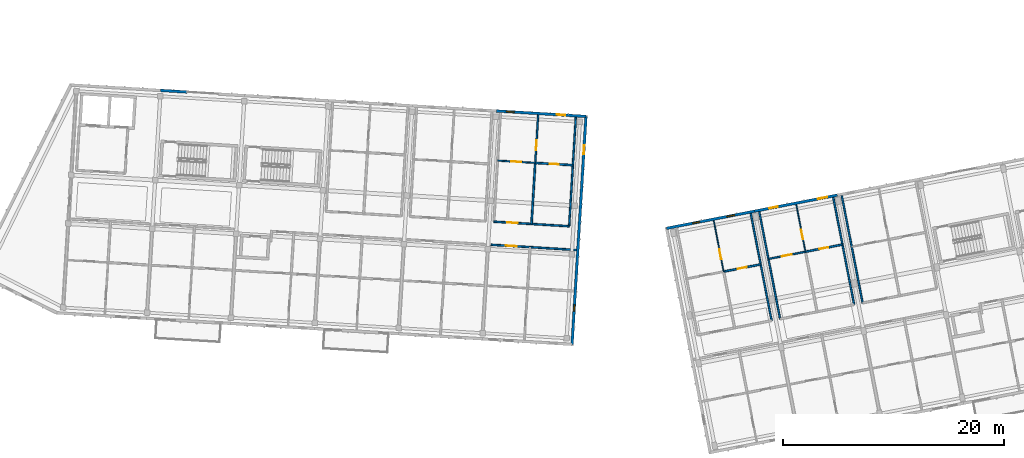
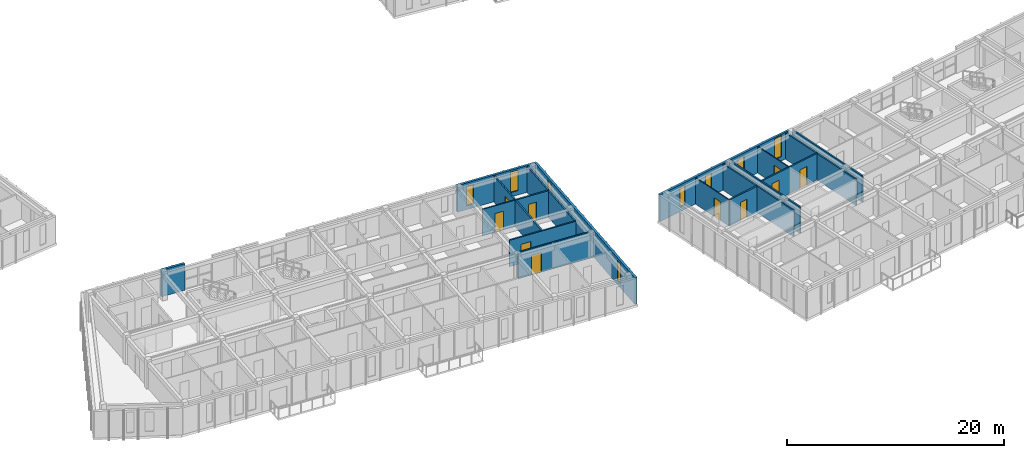
# One storey, part 29 of 68: 21 walls, 10 doors, 8 windows, 18 openings.
"""IFC4 building model written with IfcOpenShell, lengths in metres."""

from ifc_helpers import new_model, si_unit, direction, frame, frame_2d, origin, place, context, subcontext, project, spatial, rectangle, extrude, material, layer, layer_set, type_object, element, fill, save


model = new_model("IFC4")

# Units and contexts
model_context = context("Model", 3, precision=1e-05, world=origin(), true_north=direction((0.0, 1.0)))
body_context = subcontext(model_context, "Body", "Model", "MODEL_VIEW")
ifc_project = project(units=[si_unit("LENGTHUNIT", "METRE"), si_unit("AREAUNIT", "SQUARE_METRE"), si_unit("VOLUMEUNIT", "CUBIC_METRE"), si_unit("PLANEANGLEUNIT", "RADIAN"), si_unit("MASSUNIT", "GRAM", prefix="KILO")], contexts=[model_context])

# Site, building, storey
site_placement = place(None, origin())
site = spatial("IfcSite", under=ifc_project, at=site_placement, CompositionType="ELEMENT")
building_placement = place(site_placement, origin())
building = spatial("IfcBuilding", under=site, at=building_placement, Name="Kestramere Prow Commons", CompositionType="ELEMENT")
storey_placement = place(building_placement, frame((0.0, 0.0, 18.14990234375)))
storey = spatial("IfcBuildingStorey", under=building, at=storey_placement, Name="L05", CompositionType="ELEMENT", Elevation=18.14990234375)

# Wall
ifc_material_1 = material(Name="Fluoropolymer Standing-Seam Zinc-Aluminium Cladding", Category="aluminium")
ifc_layer_1 = layer(ifc_material_1, 0.239990234375)
ifc_layer_set_1 = layer_set([ifc_layer_1], Name="Fluoropolymer Standing-Seam Zinc-Aluminium Cladding")
wall_type_1 = type_object("IfcWallType", Name="EW-SEAM-240", PredefinedType="SOLIDWALL", material=ifc_layer_set_1)
wall_1_placement = place(storey_placement, frame((68.314453125, 66.12353515625, 0.0), z_axis=(0.0, 0.0, 1.0), x_axis=(0.998134103342, -0.061059902923, 0.0)))
element("IfcWall", 1, at=wall_1_placement, inside=storey, type_object=wall_type_1, Name="Block C L05 North Standing-Seam Pier 2L", PredefinedType="SOLIDWALL", context=body_context, shape_type="SweptSolid", body=[
    extrude(rectangle(XDim=2.375, YDim=0.239990234375, at=frame_2d((1.1875, 0.0))), origin(), (0.0, 0.0, 1.0), 3.0),
])

# Wall, openings, windows
wall_2_placement = place(storey_placement, frame((98.65771484375, 64.267578125, 0.0), z_axis=(0.0, 0.0, 1.0), x_axis=(0.998134248939, -0.061057522844, 0.0)))
wall_2 = element("IfcWall", 2, at=wall_2_placement, inside=storey, type_object=wall_type_1, Name="Block C L05 North Standing-Seam Wall 6", PredefinedType="SOLIDWALL", context=body_context, shape_type="SweptSolid", body=[
    extrude(rectangle(XDim=8.125, YDim=0.239990234375, at=frame_2d((4.0625, 0.0))), origin(), (0.0, 0.0, 1.0), 3.0),
])
opening_1_placement = place(wall_2_placement, frame((0.91357421875, 0.0, 0.43994140625)))
opening_1 = element("IfcOpeningElement", 3, at=opening_1_placement, cuts=wall_2, Name="Opening WN-08", PredefinedType="OPENING", context=body_context, shape_type="SweptSolid", body=[
    extrude(rectangle(XDim=0.719970703125, YDim=2.159912109375, at=frame_2d((0.35986328125, 1.080078125))), frame((0.0, 0.135009765625, 0.0), z_axis=(0.0, -1.0, 0.0), x_axis=(1.0, 0.0, 0.0)), (0.0, 0.0, 1.0), 0.27001953125),
])
opening_2_placement = place(wall_2_placement, frame((5.4560546875, 0.0, 0.5)))
opening_2 = element("IfcOpeningElement", 4, at=opening_2_placement, cuts=wall_2, Name="Opening WN-12", PredefinedType="OPENING", context=body_context, shape_type="SweptSolid", body=[
    extrude(rectangle(XDim=0.800048828125, YDim=2.300048828125, at=frame_2d((0.39990234375, 1.14990234375))), frame((0.0, 0.135009765625, 0.0), z_axis=(0.0, -1.0, 0.0), x_axis=(1.0, 0.0, 0.0)), (0.0, 0.0, 1.0), 0.27001953125),
])
ifc_material_2 = material(Name="Low-E Laminated Double Glazing", Category="glass")
window_type_1 = type_object("IfcWindowType", Name="WN-NAR-720A", PartitioningType="SINGLE_PANEL", PredefinedType="WINDOW", material=ifc_material_2)
window_1_placement = place(opening_1_placement, origin())
window_1 = element("IfcWindow", 5, at=window_1_placement, inside=storey, type_object=window_type_1, Name="WN-C-L05-N-5-0", OverallHeight=2.159912109375, OverallWidth=0.719970703125, PartitioningType="SINGLE_PANEL", PredefinedType="WINDOW", context=body_context, shape_type="SweptSolid", body=[
    extrude(rectangle(XDim=0.719970703125, YDim=2.159912109375, at=frame_2d((0.35986328125, 1.080078125))), frame((0.0, 0.030029296875, 0.0), z_axis=(0.0, -1.0, 0.0), x_axis=(1.0, 0.0, 0.0)), (0.0, 0.0, 1.0), 0.06005859375),
])
fill(opening_1, window_1)
window_type_2 = type_object("IfcWindowType", Name="WN-NAR-800A", PartitioningType="SINGLE_PANEL", PredefinedType="WINDOW", material=ifc_material_2)
window_2_placement = place(opening_2_placement, origin())
window_2 = element("IfcWindow", 6, at=window_2_placement, inside=storey, type_object=window_type_2, Name="WN-C-L05-N-5-1", OverallHeight=2.300048828125, OverallWidth=0.800048828125, PartitioningType="SINGLE_PANEL", PredefinedType="WINDOW", context=body_context, shape_type="SweptSolid", body=[
    extrude(rectangle(XDim=0.800048828125, YDim=2.300048828125, at=frame_2d((0.39990234375, 1.14990234375))), frame((0.0, 0.030029296875, 0.0), z_axis=(0.0, -1.0, 0.0), x_axis=(1.0, 0.0, 0.0)), (0.0, 0.0, 1.0), 0.06005859375),
])
fill(opening_2, window_2)

wall_3_placement = place(storey_placement, frame((106.767578125, 63.771484375, 0.0), z_axis=(0.0, 0.0, 1.0), x_axis=(-0.061053332998, -0.99813450523, 0.0)))
wall_3 = element("IfcWall", 7, at=wall_3_placement, inside=storey, type_object=wall_type_1, Name="Block C L05 EAV Facet Wall", PredefinedType="SOLIDWALL", context=body_context, shape_type="SweptSolid", body=[
    extrude(rectangle(XDim=20.64990234375, YDim=0.239990234375, at=frame_2d((10.324951171875, 0.0))), origin(), (0.0, 0.0, 1.0), 3.0),
])
opening_3_placement = place(wall_3_placement, frame((2.6298828125, 0.0, 0.52001953125)))
opening_3 = element("IfcOpeningElement", 8, at=opening_3_placement, cuts=wall_3, Name="Opening WN-11", PredefinedType="OPENING", context=body_context, shape_type="SweptSolid", body=[
    extrude(rectangle(XDim=0.780029296875, YDim=2.199951171875, at=frame_2d((0.39013671875, 1.10009765625))), frame((0.0, 0.135009765625, 0.0), z_axis=(0.0, -1.0, 0.0), x_axis=(1.0, 0.0, 0.0)), (0.0, 0.0, 1.0), 0.27001953125),
])
opening_4_placement = place(wall_3_placement, frame((17.0400390625, 0.0, 0.449951171875)))
opening_4 = element("IfcOpeningElement", 9, at=opening_4_placement, cuts=wall_3, Name="Opening WN-03", PredefinedType="OPENING", context=body_context, shape_type="SweptSolid", body=[
    extrude(rectangle(XDim=0.6201171875, YDim=2.280029296875, at=frame_2d((0.31005859375, 1.14013671875))), frame((0.0, 0.135009765625, 0.0), z_axis=(0.0, -1.0, 0.0), x_axis=(1.0, 0.0, 0.0)), (0.0, 0.0, 1.0), 0.27001953125),
])
window_type_3 = type_object("IfcWindowType", Name="WN-NAR-620A", PartitioningType="SINGLE_PANEL", PredefinedType="WINDOW", material=ifc_material_2)
window_3_placement = place(opening_4_placement, origin())
window_3 = element("IfcWindow", 10, at=window_3_placement, inside=storey, type_object=window_type_3, Name="WN-C-L05-EAV-1", OverallHeight=2.280029296875, OverallWidth=0.6201171875, PartitioningType="SINGLE_PANEL", PredefinedType="WINDOW", context=body_context, shape_type="SweptSolid", body=[
    extrude(rectangle(XDim=0.6201171875, YDim=2.280029296875, at=frame_2d((0.31005859375, 1.14013671875))), frame((0.0, 0.030029296875, 0.0), z_axis=(0.0, -1.0, 0.0), x_axis=(1.0, 0.0, 0.0)), (0.0, 0.0, 1.0), 0.06005859375),
])
fill(opening_4, window_3)
window_type_4 = type_object("IfcWindowType", Name="WN-NAR-780A", PartitioningType="SINGLE_PANEL", PredefinedType="WINDOW", material=ifc_material_2)
window_4_placement = place(opening_3_placement, origin())
window_4 = element("IfcWindow", 11, at=window_4_placement, inside=storey, type_object=window_type_4, Name="WN-C-L05-EAV-0", OverallHeight=2.199951171875, OverallWidth=0.780029296875, PartitioningType="SINGLE_PANEL", PredefinedType="WINDOW", context=body_context, shape_type="SweptSolid", body=[
    extrude(rectangle(XDim=0.780029296875, YDim=2.199951171875, at=frame_2d((0.39013671875, 1.10009765625))), frame((0.0, 0.030029296875, 0.0), z_axis=(0.0, -1.0, 0.0), x_axis=(1.0, 0.0, 0.0)), (0.0, 0.0, 1.0), 0.06005859375),
])
fill(opening_3, window_4)

wall_4_placement = place(storey_placement, frame((114.044677734375, 53.655029296875, 0.0), z_axis=(0.0, 0.0, 1.0), x_axis=(0.981627273155, 0.190808533872, 0.0)))
wall_4 = element("IfcWall", 12, at=wall_4_placement, inside=storey, type_object=wall_type_1, Name="Block D L05 North Standing-Seam Wall 1", PredefinedType="SOLIDWALL", context=body_context, shape_type="SweptSolid", body=[
    extrude(rectangle(XDim=8.124755859375, YDim=0.239990234375, at=frame_2d((4.0625, 0.0))), origin(), (0.0, 0.0, 1.0), 3.0),
])
opening_5_placement = place(wall_4_placement, frame((2.410400390625, 0.0, 0.5)))
opening_5 = element("IfcOpeningElement", 13, at=opening_5_placement, cuts=wall_4, Name="Opening WN-04", PredefinedType="OPENING", context=body_context, shape_type="SweptSolid", body=[
    extrude(rectangle(XDim=0.639892578125, YDim=2.179931640625, at=frame_2d((0.31982421875, 1.08984375))), frame((0.0, 0.135009765625, 0.0), z_axis=(0.0, -1.0, 0.0), x_axis=(1.0, 0.0, 0.0)), (0.0, 0.0, 1.0), 0.27001953125),
])
opening_6_placement = place(wall_4_placement, frame((5.550537109375, 0.0, 0.43994140625)))
opening_6 = element("IfcOpeningElement", 14, at=opening_6_placement, cuts=wall_4, Name="Opening WN-08", PredefinedType="OPENING", context=body_context, shape_type="SweptSolid", body=[
    extrude(rectangle(XDim=0.719970703125, YDim=2.159912109375, at=frame_2d((0.35986328125, 1.080078125))), frame((0.0, 0.135009765625, 0.0), z_axis=(0.0, -1.0, 0.0), x_axis=(1.0, 0.0, 0.0)), (0.0, 0.0, 1.0), 0.27001953125),
])
window_type_5 = type_object("IfcWindowType", Name="WN-NAR-640A", PartitioningType="SINGLE_PANEL", PredefinedType="WINDOW", material=ifc_material_2)
window_5_placement = place(opening_5_placement, origin())
window_5 = element("IfcWindow", 15, at=window_5_placement, inside=storey, type_object=window_type_5, Name="WN-D-L05-N-0-0", OverallHeight=2.179931640625, OverallWidth=0.639892578125, PartitioningType="SINGLE_PANEL", PredefinedType="WINDOW", context=body_context, shape_type="SweptSolid", body=[
    extrude(rectangle(XDim=0.639892578125, YDim=2.179931640625, at=frame_2d((0.31982421875, 1.08984375))), frame((0.0, 0.030029296875, 0.0), z_axis=(0.0, -1.0, 0.0), x_axis=(1.0, 0.0, 0.0)), (0.0, 0.0, 1.0), 0.06005859375),
])
fill(opening_5, window_5)
window_6_placement = place(opening_6_placement, origin())
window_6 = element("IfcWindow", 16, at=window_6_placement, inside=storey, type_object=window_type_1, Name="WN-D-L05-N-0-1", OverallHeight=2.159912109375, OverallWidth=0.719970703125, PartitioningType="SINGLE_PANEL", PredefinedType="WINDOW", context=body_context, shape_type="SweptSolid", body=[
    extrude(rectangle(XDim=0.719970703125, YDim=2.159912109375, at=frame_2d((0.35986328125, 1.080078125))), frame((0.0, 0.030029296875, 0.0), z_axis=(0.0, -1.0, 0.0), x_axis=(1.0, 0.0, 0.0)), (0.0, 0.0, 1.0), 0.06005859375),
])
fill(opening_6, window_6)

wall_5_placement = place(storey_placement, frame((122.020263671875, 55.205322265625, 0.0), z_axis=(0.0, 0.0, 1.0), x_axis=(0.981626422232, 0.190812911449, 0.0)))
wall_5 = element("IfcWall", 17, at=wall_5_placement, inside=storey, type_object=wall_type_1, Name="Block D L05 North Standing-Seam Wall 2", PredefinedType="SOLIDWALL", context=body_context, shape_type="SweptSolid", body=[
    extrude(rectangle(XDim=7.60009765625, YDim=0.239990234375, at=frame_2d((3.800048828125, 0.0))), origin(), (0.0, 0.0, 1.0), 3.0),
])
opening_7_placement = place(wall_5_placement, frame((1.35400390625, 0.0, 0.43994140625)))
opening_7 = element("IfcOpeningElement", 18, at=opening_7_placement, cuts=wall_5, Name="Opening WN-11", PredefinedType="OPENING", context=body_context, shape_type="SweptSolid", body=[
    extrude(rectangle(XDim=0.780029296875, YDim=2.199951171875, at=frame_2d((0.39013671875, 1.10009765625))), frame((0.0, 0.135009765625, 0.0), z_axis=(0.0, -1.0, 0.0), x_axis=(1.0, 0.0, 0.0)), (0.0, 0.0, 1.0), 0.27001953125),
])
opening_8_placement = place(wall_5_placement, frame((5.82568359375, 0.0, 0.5)))
opening_8 = element("IfcOpeningElement", 19, at=opening_8_placement, cuts=wall_5, Name="Opening WN-15", PredefinedType="OPENING", context=body_context, shape_type="SweptSolid", body=[
    extrude(rectangle(XDim=0.860107421875, YDim=2.360107421875, at=frame_2d((0.43017578125, 1.18017578125))), frame((0.0, 0.135009765625, 0.0), z_axis=(0.0, -1.0, 0.0), x_axis=(1.0, 0.0, 0.0)), (0.0, 0.0, 1.0), 0.27001953125),
])
window_7_placement = place(opening_7_placement, origin())
window_7 = element("IfcWindow", 20, at=window_7_placement, inside=storey, type_object=window_type_4, Name="WN-D-L05-N-1-0", OverallHeight=2.199951171875, OverallWidth=0.780029296875, PartitioningType="SINGLE_PANEL", PredefinedType="WINDOW", context=body_context, shape_type="SweptSolid", body=[
    extrude(rectangle(XDim=0.780029296875, YDim=2.199951171875, at=frame_2d((0.39013671875, 1.10009765625))), frame((0.0, 0.030029296875, 0.0), z_axis=(0.0, -1.0, 0.0), x_axis=(1.0, 0.0, 0.0)), (0.0, 0.0, 1.0), 0.06005859375),
])
fill(opening_7, window_7)
window_type_6 = type_object("IfcWindowType", Name="WN-NAR-860A", PartitioningType="DOUBLE_PANEL_VERTICAL", PredefinedType="WINDOW", material=ifc_material_2)
window_8_placement = place(opening_8_placement, origin())
window_8 = element("IfcWindow", 21, at=window_8_placement, inside=storey, type_object=window_type_6, Name="WN-D-L05-N-1-1", OverallHeight=2.360107421875, OverallWidth=0.860107421875, PartitioningType="SINGLE_PANEL", PredefinedType="WINDOW", context=body_context, shape_type="SweptSolid", body=[
    extrude(rectangle(XDim=0.860107421875, YDim=2.360107421875, at=frame_2d((0.43017578125, 1.18017578125))), frame((0.0, 0.030029296875, 0.0), z_axis=(0.0, -1.0, 0.0), x_axis=(1.0, 0.0, 0.0)), (0.0, 0.0, 1.0), 0.06005859375),
])
fill(opening_8, window_8)

# Wall, opening, door
ifc_material_3 = material(Name="Fire-Rated Calcium Silicate Wall")
ifc_layer_2 = layer(ifc_material_3, 0.155029296875)
ifc_layer_set_2 = layer_set([ifc_layer_2], Name="Fire-Rated Calcium Silicate Wall")
wall_type_2 = type_object("IfcWallType", Name="W-FIRE-150", PredefinedType="PARTITIONING", material=ifc_layer_set_2)
wall_6_placement = place(storey_placement, frame((98.17822265625, 52.16943359375, 0.0), z_axis=(0.0, 0.0, 1.0), x_axis=(0.998133272394, -0.061073484761, 0.0)))
wall_6 = element("IfcWall", 22, at=wall_6_placement, inside=storey, type_object=wall_type_2, Name="Interior Partition PW-C-L05-CS-5", PredefinedType="PARTITIONING", context=body_context, shape_type="SweptSolid", body=[
    extrude(rectangle(XDim=7.735107421875, YDim=0.155029296875, at=frame_2d((3.86767578125, 0.0))), origin(), (0.0, 0.0, 1.0), 2.97021484375),
])
opening_9_placement = place(wall_6_placement, frame((1.330078125, 0.0, 0.0)))
opening_9 = element("IfcOpeningElement", 23, at=opening_9_placement, cuts=wall_6, Name="Opening ID-05", PredefinedType="OPENING", context=body_context, shape_type="SweptSolid", body=[
    extrude(rectangle(XDim=1.02001953125, YDim=2.199951171875, at=frame_2d((0.510009765625, 1.10009765625))), frame((0.0, 0.092529296875, 0.0), z_axis=(0.0, -1.0, 0.0), x_axis=(1.0, 0.0, 0.0)), (0.0, 0.0, 1.0), 0.18505859375),
])
ifc_material_4 = material(Name="Hardwood Fire-Rated Flat Entrance Door", Category="wood")
door_type_1 = type_object("IfcDoorType", Name="FD-ENT-02", OperationType="NOTDEFINED", PredefinedType="DOOR", material=ifc_material_4)
door_1_placement = place(opening_9_placement, origin())
door_1 = element("IfcDoor", 24, at=door_1_placement, inside=storey, type_object=door_type_1, Name="Interior Door DR-C-L05-ENT-S5", OperationType="SINGLE_SWING_LEFT", OverallHeight=2.199951171875, OverallWidth=1.02001953125, PredefinedType="DOOR", context=body_context, shape_type="SweptSolid", body=[
    extrude(rectangle(XDim=1.02001953125, YDim=2.199951171875, at=frame_2d((0.510009765625, 1.10009765625))), frame((0.0, 0.02490234375, 0.0), z_axis=(0.0, -1.0, 0.0), x_axis=(1.0, 0.0, 0.0)), (0.0, 0.0, 1.0), 0.050048828125),
])
fill(opening_9, door_1)

wall_7_placement = place(storey_placement, frame((98.436279296875, 54.257568359375, 0.0), z_axis=(0.0, 0.0, 1.0), x_axis=(0.998133350094, -0.061072214879, 0.0)))
wall_7 = element("IfcWall", 25, at=wall_7_placement, inside=storey, type_object=wall_type_2, Name="Interior Partition PW-C-L05-CN-5", PredefinedType="PARTITIONING", context=body_context, shape_type="SweptSolid", body=[
    extrude(rectangle(XDim=6.81982421875, YDim=0.155029296875, at=frame_2d((3.409912109375, 0.0))), origin(), (0.0, 0.0, 1.0), 2.97021484375),
])
opening_10_placement = place(wall_7_placement, frame((1.205078125, 0.0, 0.0)))
opening_10 = element("IfcOpeningElement", 26, at=opening_10_placement, cuts=wall_7, Name="Opening ID-04", PredefinedType="OPENING", context=body_context, shape_type="SweptSolid", body=[
    extrude(rectangle(XDim=0.97998046875, YDim=2.14990234375, at=frame_2d((0.489990234375, 1.074951171875))), frame((0.0, 0.092529296875, 0.0), z_axis=(0.0, -1.0, 0.0), x_axis=(1.0, 0.0, 0.0)), (0.0, 0.0, 1.0), 0.18505859375),
])
door_type_2 = type_object("IfcDoorType", Name="FD-ENT-01", OperationType="NOTDEFINED", PredefinedType="DOOR", material=ifc_material_4)
door_2_placement = place(opening_10_placement, origin())
door_2 = element("IfcDoor", 27, at=door_2_placement, inside=storey, type_object=door_type_2, Name="Interior Door DR-C-L05-ENT-N5", OperationType="SINGLE_SWING_RIGHT", OverallHeight=2.14990234375, OverallWidth=0.97998046875, PredefinedType="DOOR", context=body_context, shape_type="SweptSolid", body=[
    extrude(rectangle(XDim=0.97998046875, YDim=2.14990234375, at=frame_2d((0.489990234375, 1.074951171875))), frame((0.0, 0.02490234375, 0.0), z_axis=(0.0, -1.0, 0.0), x_axis=(1.0, 0.0, 0.0)), (0.0, 0.0, 1.0), 0.050048828125),
])
fill(opening_10, door_2)

ifc_material_5 = material(Name="Gypsum Acoustic Drywall")
ifc_layer_3 = layer(ifc_material_5, 0.10009765625)
ifc_layer_set_3 = layer_set([ifc_layer_3], Name="Gypsum Acoustic Drywall")
wall_type_3 = type_object("IfcWallType", Name="W-PART-100", PredefinedType="PARTITIONING", material=ifc_layer_set_3)
wall_8_placement = place(storey_placement, frame((126.6044921875, 51.53759765625, 0.0), z_axis=(0.0, 0.0, 1.0), x_axis=(-0.190812443151, 0.981626513262, 0.0)))
wall_8 = element("IfcWall", 28, at=wall_8_placement, inside=storey, type_object=wall_type_3, Name="Interior Partition PW-D-L05-LB-N1", PredefinedType="PARTITIONING", context=body_context, shape_type="SweptSolid", body=[
    extrude(rectangle(XDim=4.340087890625, YDim=0.10009765625, at=frame_2d((2.169921875, 0.0))), origin(), (0.0, 0.0, 1.0), 2.97021484375),
])
opening_11_placement = place(wall_8_placement, frame((1.14990234375, 0.0, 0.0)))
opening_11 = element("IfcOpeningElement", 29, at=opening_11_placement, cuts=wall_8, Name="Opening ID-10", PredefinedType="OPENING", context=body_context, shape_type="SweptSolid", body=[
    extrude(rectangle(XDim=0.8798828125, YDim=2.10009765625, at=frame_2d((0.43994140625, 1.050048828125))), frame((0.0, 0.06494140625, 0.0), z_axis=(0.0, -1.0, 0.0), x_axis=(1.0, 0.0, 0.0)), (0.0, 0.0, 1.0), 0.130126953125),
])
ifc_material_6 = material(Name="Engineered Timber Bedroom Door", Category="wood")
door_type_3 = type_object("IfcDoorType", Name="D-RM-03", OperationType="NOTDEFINED", PredefinedType="DOOR", material=ifc_material_6)
door_3_placement = place(opening_11_placement, origin())
door_3 = element("IfcDoor", 30, at=door_3_placement, inside=storey, type_object=door_type_3, Name="Interior Door DR-D-L05-BED-N1", OperationType="SINGLE_SWING_LEFT", OverallHeight=2.10009765625, OverallWidth=0.8798828125, PredefinedType="DOOR", context=body_context, shape_type="SweptSolid", body=[
    extrude(rectangle(XDim=0.8798828125, YDim=2.10009765625, at=frame_2d((0.43994140625, 1.050048828125))), frame((0.0, 0.02490234375, 0.0), z_axis=(0.0, -1.0, 0.0), x_axis=(1.0, 0.0, 0.0)), (0.0, 0.0, 1.0), 0.050048828125),
])
fill(opening_11, door_3)

ifc_material_7 = material(Name="Lightweight Blockwork and Plaster", Category="masonry")
ifc_layer_4 = layer(ifc_material_7, 0.1201171875)
ifc_layer_set_4 = layer_set([ifc_layer_4], Name="Lightweight Blockwork and Plaster")
wall_type_4 = type_object("IfcWallType", Name="W-PART-120", PredefinedType="PARTITIONING", material=ifc_layer_set_4)
wall_9_placement = place(storey_placement, frame((98.77392578125, 59.777099609375, 0.0), z_axis=(0.0, 0.0, 1.0), x_axis=(0.998137711988, -0.061000884486, 0.0)))
wall_9 = element("IfcWall", 31, at=wall_9_placement, inside=storey, type_object=wall_type_4, Name="Interior Partition PW-C-L05-MIDN1-5", PredefinedType="PARTITIONING", context=body_context, shape_type="SweptSolid", body=[
    extrude(rectangle(XDim=3.409912109375, YDim=0.1201171875, at=frame_2d((1.705078125, 0.0))), origin(), (0.0, 0.0, 1.0), 2.97021484375),
])
opening_12_placement = place(wall_9_placement, frame((1.2548828125, 0.0, 0.0)))
opening_12 = element("IfcOpeningElement", 32, at=opening_12_placement, cuts=wall_9, Name="Opening ID-08", PredefinedType="OPENING", context=body_context, shape_type="SweptSolid", body=[
    extrude(rectangle(XDim=0.89990234375, YDim=2.10009765625, at=frame_2d((0.449951171875, 1.050048828125))), frame((0.0, 0.074951171875, 0.0), z_axis=(0.0, -1.0, 0.0), x_axis=(1.0, 0.0, 0.0)), (0.0, 0.0, 1.0), 0.150146484375),
])
ifc_material_8 = material(Name="Engineered Timber Flush Door", Category="wood")
door_type_4 = type_object("IfcDoorType", Name="D-RM-01", OperationType="NOTDEFINED", PredefinedType="DOOR", material=ifc_material_8)
door_4_placement = place(opening_12_placement, origin())
door_4 = element("IfcDoor", 33, at=door_4_placement, inside=storey, type_object=door_type_4, Name="Interior Door DR-C-L05-KL-N5", OperationType="SINGLE_SWING_LEFT", OverallHeight=2.10009765625, OverallWidth=0.89990234375, PredefinedType="DOOR", context=body_context, shape_type="SweptSolid", body=[
    extrude(rectangle(XDim=0.89990234375, YDim=2.10009765625, at=frame_2d((0.449951171875, 1.050048828125))), frame((0.0, 0.02490234375, 0.0), z_axis=(0.0, -1.0, 0.0), x_axis=(1.0, 0.0, 0.0)), (0.0, 0.0, 1.0), 0.050048828125),
])
fill(opening_12, door_4)

ifc_material_9 = material(Name="Masonry Compartment Wall", Category="masonry")
ifc_layer_5 = layer(ifc_material_9, 0.139892578125)
ifc_layer_set_5 = layer_set([ifc_layer_5], Name="Masonry Compartment Wall")
wall_type_5 = type_object("IfcWallType", Name="W-PART-140", PredefinedType="PARTITIONING", material=ifc_layer_set_5)
wall_10_placement = place(storey_placement, frame((102.177490234375, 59.569091796875, 0.0), z_axis=(0.0, 0.0, 1.0), x_axis=(0.061036861365, 0.998135512621, 0.0)))
wall_10 = element("IfcWall", 34, at=wall_10_placement, inside=storey, type_object=wall_type_5, Name="Interior Partition PW-C-L05-LB-N5", PredefinedType="PARTITIONING", context=body_context, shape_type="SweptSolid", body=[
    extrude(rectangle(XDim=4.33984375, YDim=0.139892578125, at=frame_2d((2.169921875, 0.0))), origin(), (0.0, 0.0, 1.0), 2.97021484375),
])
opening_13_placement = place(wall_10_placement, frame((1.14990234375, 0.0, 0.0)))
opening_13 = element("IfcOpeningElement", 35, at=opening_13_placement, cuts=wall_10, Name="Opening ID-08", PredefinedType="OPENING", context=body_context, shape_type="SweptSolid", body=[
    extrude(rectangle(XDim=0.89990234375, YDim=2.10009765625, at=frame_2d((0.449951171875, 1.050048828125))), frame((0.0, 0.0849609375, 0.0), z_axis=(0.0, -1.0, 0.0), x_axis=(1.0, 0.0, 0.0)), (0.0, 0.0, 1.0), 0.169921875),
])
door_5_placement = place(opening_13_placement, origin())
door_5 = element("IfcDoor", 36, at=door_5_placement, inside=storey, type_object=door_type_4, Name="Interior Door DR-C-L05-BED-N5", OperationType="SINGLE_SWING_LEFT", OverallHeight=2.10009765625, OverallWidth=0.89990234375, PredefinedType="DOOR", context=body_context, shape_type="SweptSolid", body=[
    extrude(rectangle(XDim=0.89990234375, YDim=2.10009765625, at=frame_2d((0.449951171875, 1.050048828125))), frame((0.0, 0.02490234375, 0.0), z_axis=(0.0, -1.0, 0.0), x_axis=(1.0, 0.0, 0.0)), (0.0, 0.0, 1.0), 0.050048828125),
])
fill(opening_13, door_5)

wall_11_placement = place(storey_placement, frame((123.257080078125, 50.886962890625, 0.0), z_axis=(0.0, 0.0, 1.0), x_axis=(0.981629173664, 0.190798756314, 0.0)))
wall_11 = element("IfcWall", 37, at=wall_11_placement, inside=storey, type_object=wall_type_5, Name="Interior Partition PW-D-L05-MIDN1-1", PredefinedType="PARTITIONING", context=body_context, shape_type="SweptSolid", body=[
    extrude(rectangle(XDim=3.41015625, YDim=0.139892578125, at=frame_2d((1.705078125, 0.0))), origin(), (0.0, 0.0, 1.0), 2.97021484375),
])
opening_14_placement = place(wall_11_placement, frame((1.2548828125, 0.0, 0.0)))
opening_14 = element("IfcOpeningElement", 38, at=opening_14_placement, cuts=wall_11, Name="Opening ID-08", PredefinedType="OPENING", context=body_context, shape_type="SweptSolid", body=[
    extrude(rectangle(XDim=0.89990234375, YDim=2.10009765625, at=frame_2d((0.449951171875, 1.050048828125))), frame((0.0, 0.0849609375, 0.0), z_axis=(0.0, -1.0, 0.0), x_axis=(1.0, 0.0, 0.0)), (0.0, 0.0, 1.0), 0.169921875),
])
door_6_placement = place(opening_14_placement, origin())
door_6 = element("IfcDoor", 39, at=door_6_placement, inside=storey, type_object=door_type_4, Name="Interior Door DR-D-L05-KL-N1", OperationType="SINGLE_SWING_LEFT", OverallHeight=2.10009765625, OverallWidth=0.89990234375, PredefinedType="DOOR", context=body_context, shape_type="SweptSolid", body=[
    extrude(rectangle(XDim=0.89990234375, YDim=2.10009765625, at=frame_2d((0.449951171875, 1.050048828125))), frame((0.0, 0.02490234375, 0.0), z_axis=(0.0, -1.0, 0.0), x_axis=(1.0, 0.0, 0.0)), (0.0, 0.0, 1.0), 0.050048828125),
])
fill(opening_14, door_6)

# Walls
ifc_layer_6 = layer(ifc_material_9, 0.14990234375)
ifc_layer_set_6 = layer_set([ifc_layer_6], Name="Masonry Compartment Wall")
wall_type_6 = type_object("IfcWallType", Name="W-PART-150", PredefinedType="PARTITIONING", material=ifc_layer_set_6)
wall_12_placement = place(storey_placement, frame((105.243408203125, 53.841064453125, 0.0), z_axis=(0.0, 0.0, 1.0), x_axis=(0.061047700465, 0.998134849741, 0.0)))
element("IfcWall", 40, at=wall_12_placement, inside=storey, type_object=wall_type_6, Name="Interior Partition PW-C-L05-NWR-5", PredefinedType="PARTITIONING", context=body_context, shape_type="SweptSolid", body=[
    extrude(rectangle(XDim=9.869873046875, YDim=0.14990234375, at=frame_2d((4.93505859375, 0.0))), origin(), (0.0, 0.0, 1.0), 2.97021484375),
])
wall_13_placement = place(storey_placement, frame((123.546630859375, 45.309814453125, 0.0), z_axis=(0.0, 0.0, 1.0), x_axis=(-0.190809410863, 0.981627102685, 0.0)))
element("IfcWall", 41, at=wall_13_placement, inside=storey, type_object=wall_type_6, Name="Interior Partition PW-D-L05-NWR-0", PredefinedType="PARTITIONING", context=body_context, shape_type="SweptSolid", body=[
    extrude(rectangle(XDim=9.8701171875, YDim=0.14990234375, at=frame_2d((4.93505859375, 0.0))), origin(), (0.0, 0.0, 1.0), 2.97021484375),
])
wall_14_placement = place(storey_placement, frame((124.312255859375, 45.458740234375, 0.0), z_axis=(0.0, 0.0, 1.0), x_axis=(-0.190814044018, 0.981626202078, 0.0)))
element("IfcWall", 42, at=wall_14_placement, inside=storey, type_object=wall_type_6, Name="Interior Partition PW-D-L05-NWL-1", PredefinedType="PARTITIONING", context=body_context, shape_type="SweptSolid", body=[
    extrude(rectangle(XDim=9.869873046875, YDim=0.14990234375, at=frame_2d((4.93505859375, 0.0))), origin(), (0.0, 0.0, 1.0), 2.97021484375),
])
for number, where, z_axis, x_axis, name in (
    (43, (131.0068359375, 46.760009765625, 0.0), (0.0, 0.0, 1.0), (-0.190809410863, 0.981627102685, 0.0), "Interior Partition PW-D-L05-NWR-1"),
    (44, (131.7724609375, 46.90869140625, 0.0), (0.0, 0.0, 1.0), (-0.1907855758, 0.981631735462, 0.0), "Interior Partition PW-D-L05-NWL-2"),
):
    element("IfcWall", number, at=place(storey_placement, frame(where, z_axis=z_axis, x_axis=x_axis)), inside=storey, type_object=wall_type_6, Name=name, PredefinedType="PARTITIONING", context=body_context, shape_type="SweptSolid", body=[
        extrude(rectangle(XDim=9.8701171875, YDim=0.14990234375, at=frame_2d((4.93505859375, 0.0))), origin(), (0.0, 0.0, 1.0), 2.97021484375),
    ])

# Wall, opening, door
ifc_layer_7 = layer(ifc_material_5, 0.094970703125)
ifc_layer_set_7 = layer_set([ifc_layer_7], Name="Gypsum Acoustic Drywall")
wall_type_7 = type_object("IfcWallType", Name="W-PART-95", PredefinedType="PARTITIONING", material=ifc_layer_set_7)
wall_15_placement = place(storey_placement, frame((119.210693359375, 49.743896484375, 0.0), z_axis=(0.0, 0.0, 1.0), x_axis=(-0.190777702748, 0.981633265601, 0.0)))
wall_15 = element("IfcWall", 45, at=wall_15_placement, inside=storey, type_object=wall_type_7, Name="Interior Partition PW-D-L05-LB-N0", PredefinedType="PARTITIONING", context=body_context, shape_type="SweptSolid", body=[
    extrude(rectangle(XDim=4.690185546875, YDim=0.094970703125, at=frame_2d((2.34521484375, 0.0))), origin(), (0.0, 0.0, 1.0), 2.97021484375),
])
opening_15_placement = place(wall_15_placement, frame((1.14990234375, 0.0, 0.0)))
opening_15 = element("IfcOpeningElement", 46, at=opening_15_placement, cuts=wall_15, Name="Opening ID-08", PredefinedType="OPENING", context=body_context, shape_type="SweptSolid", body=[
    extrude(rectangle(XDim=0.89990234375, YDim=2.10009765625, at=frame_2d((0.449951171875, 1.050048828125))), frame((0.0, 0.0625, 0.0), z_axis=(0.0, -1.0, 0.0), x_axis=(1.0, 0.0, 0.0)), (0.0, 0.0, 1.0), 0.125),
])
door_7_placement = place(opening_15_placement, origin())
door_7 = element("IfcDoor", 47, at=door_7_placement, inside=storey, type_object=door_type_4, Name="Interior Door DR-D-L05-BED-N0", OperationType="SINGLE_SWING_LEFT", OverallHeight=2.10009765625, OverallWidth=0.89990234375, PredefinedType="DOOR", context=body_context, shape_type="SweptSolid", body=[
    extrude(rectangle(XDim=0.89990234375, YDim=2.10009765625, at=frame_2d((0.449951171875, 1.050048828125))), frame((0.0, 0.02490234375, 0.0), z_axis=(0.0, -1.0, 0.0), x_axis=(1.0, 0.0, 0.0)), (0.0, 0.0, 1.0), 0.050048828125),
])
fill(opening_15, door_7)

ifc_material_10 = material(Name="Waterproof Sanitary Masonry Wall", Category="masonry")
ifc_layer_8 = layer(ifc_material_10, 0.1650390625)
ifc_layer_set_8 = layer_set([ifc_layer_8], Name="Waterproof Sanitary Masonry Wall")
wall_type_8 = type_object("IfcWallType", Name="W-PLUMB-150", PredefinedType="PLUMBINGWALL", material=ifc_layer_set_8)
wall_16_placement = place(storey_placement, frame((102.177490234375, 59.569091796875, 0.0), z_axis=(0.0, 0.0, 1.0), x_axis=(0.998133350094, -0.061072214879, 0.0)))
wall_16 = element("IfcWall", 48, at=wall_16_placement, inside=storey, type_object=wall_type_8, Name="Interior Partition PW-C-L05-MIDN2-5", PredefinedType="PLUMBINGWALL", context=body_context, shape_type="SweptSolid", body=[
    extrude(rectangle(XDim=3.409912109375, YDim=0.1650390625, at=frame_2d((1.705078125, 0.0))), origin(), (0.0, 0.0, 1.0), 2.97021484375),
])
opening_16_placement = place(wall_16_placement, frame((1.294921875, 0.0, 0.0)))
opening_16 = element("IfcOpeningElement", 49, at=opening_16_placement, cuts=wall_16, Name="Opening ID-11", PredefinedType="OPENING", context=body_context, shape_type="SweptSolid", body=[
    extrude(rectangle(XDim=0.820068359375, YDim=2.080078125, at=frame_2d((0.41015625, 1.0400390625))), frame((0.0, 0.097412109375, 0.0), z_axis=(0.0, -1.0, 0.0), x_axis=(1.0, 0.0, 0.0)), (0.0, 0.0, 1.0), 0.195068359375),
])
ifc_material_11 = material(Name="Moisture-Resistant Timber Bathroom Door", Category="wood")
door_type_5 = type_object("IfcDoorType", Name="D-BT-01", OperationType="NOTDEFINED", PredefinedType="DOOR", material=ifc_material_11)
door_8_placement = place(opening_16_placement, origin())
door_8 = element("IfcDoor", 50, at=door_8_placement, inside=storey, type_object=door_type_5, Name="Interior Door DR-C-L05-BTH-N5", OperationType="SINGLE_SWING_RIGHT", OverallHeight=2.080078125, OverallWidth=0.820068359375, PredefinedType="DOOR", context=body_context, shape_type="SweptSolid", body=[
    extrude(rectangle(XDim=0.820068359375, YDim=2.080078125, at=frame_2d((0.41015625, 1.0400390625))), frame((0.0, 0.02490234375, 0.0), z_axis=(0.0, -1.0, 0.0), x_axis=(1.0, 0.0, 0.0)), (0.0, 0.0, 1.0), 0.050048828125),
])
fill(opening_16, door_8)

# Wall
wall_17_placement = place(storey_placement, frame((101.83984375, 54.04931640625, 0.0), z_axis=(0.0, 0.0, 1.0), x_axis=(0.061056206715, 0.998134329447, 0.0)))
element("IfcWall", 51, at=wall_17_placement, inside=storey, type_object=wall_type_8, Name="Interior Partition PW-C-L05-KB-N5", PredefinedType="PLUMBINGWALL", context=body_context, shape_type="SweptSolid", body=[
    extrude(rectangle(XDim=5.530029296875, YDim=0.1650390625, at=frame_2d((2.76513671875, 0.0))), origin(), (0.0, 0.0, 1.0), 2.97021484375),
])

# Wall, opening, door
wall_18_placement = place(storey_placement, frame((119.210693359375, 49.743896484375, 0.0), z_axis=(0.0, 0.0, 1.0), x_axis=(0.981629173664, 0.190798756314, 0.0)))
wall_18 = element("IfcWall", 52, at=wall_18_placement, inside=storey, type_object=wall_type_8, Name="Interior Partition PW-D-L05-MIDN2-0", PredefinedType="PLUMBINGWALL", context=body_context, shape_type="SweptSolid", body=[
    extrude(rectangle(XDim=3.41015625, YDim=0.1650390625, at=frame_2d((1.705078125, 0.0))), origin(), (0.0, 0.0, 1.0), 2.97021484375),
])
opening_17_placement = place(wall_18_placement, frame((1.294921875, 0.0, 0.0)))
opening_17 = element("IfcOpeningElement", 53, at=opening_17_placement, cuts=wall_18, Name="Opening ID-11", PredefinedType="OPENING", context=body_context, shape_type="SweptSolid", body=[
    extrude(rectangle(XDim=0.820068359375, YDim=2.080078125, at=frame_2d((0.41015625, 1.0400390625))), frame((0.0, 0.097412109375, 0.0), z_axis=(0.0, -1.0, 0.0), x_axis=(1.0, 0.0, 0.0)), (0.0, 0.0, 1.0), 0.195068359375),
])
door_9_placement = place(opening_17_placement, origin())
door_9 = element("IfcDoor", 54, at=door_9_placement, inside=storey, type_object=door_type_5, Name="Interior Door DR-D-L05-BTH-N0", OperationType="SINGLE_SWING_RIGHT", OverallHeight=2.080078125, OverallWidth=0.820068359375, PredefinedType="DOOR", context=body_context, shape_type="SweptSolid", body=[
    extrude(rectangle(XDim=0.820068359375, YDim=2.080078125, at=frame_2d((0.41015625, 1.0400390625))), frame((0.0, 0.02490234375, 0.0), z_axis=(0.0, -1.0, 0.0), x_axis=(1.0, 0.0, 0.0)), (0.0, 0.0, 1.0), 0.050048828125),
])
fill(opening_17, door_9)

wall_19_placement = place(storey_placement, frame((126.6044921875, 51.53759765625, 0.0), z_axis=(0.0, 0.0, 1.0), x_axis=(0.98162656706, 0.190812166391, 0.0)))
wall_19 = element("IfcWall", 55, at=wall_19_placement, inside=storey, type_object=wall_type_8, Name="Interior Partition PW-D-L05-MIDN2-1", PredefinedType="PLUMBINGWALL", context=body_context, shape_type="SweptSolid", body=[
    extrude(rectangle(XDim=3.409912109375, YDim=0.1650390625, at=frame_2d((1.705078125, 0.0))), origin(), (0.0, 0.0, 1.0), 2.97021484375),
])
opening_18_placement = place(wall_19_placement, frame((1.294921875, 0.0, 0.0)))
opening_18 = element("IfcOpeningElement", 56, at=opening_18_placement, cuts=wall_19, Name="Opening ID-11", PredefinedType="OPENING", context=body_context, shape_type="SweptSolid", body=[
    extrude(rectangle(XDim=0.820068359375, YDim=2.080078125, at=frame_2d((0.41015625, 1.0400390625))), frame((0.0, 0.097412109375, 0.0), z_axis=(0.0, -1.0, 0.0), x_axis=(1.0, 0.0, 0.0)), (0.0, 0.0, 1.0), 0.195068359375),
])
door_10_placement = place(opening_18_placement, origin())
door_10 = element("IfcDoor", 57, at=door_10_placement, inside=storey, type_object=door_type_5, Name="Interior Door DR-D-L05-BTH-N1", OperationType="SINGLE_SWING_RIGHT", OverallHeight=2.080078125, OverallWidth=0.820068359375, PredefinedType="DOOR", context=body_context, shape_type="SweptSolid", body=[
    extrude(rectangle(XDim=0.820068359375, YDim=2.080078125, at=frame_2d((0.41015625, 1.0400390625))), frame((0.0, 0.02490234375, 0.0), z_axis=(0.0, -1.0, 0.0), x_axis=(1.0, 0.0, 0.0)), (0.0, 0.0, 1.0), 0.050048828125),
])
fill(opening_18, door_10)

save(model, "model.ifc")
